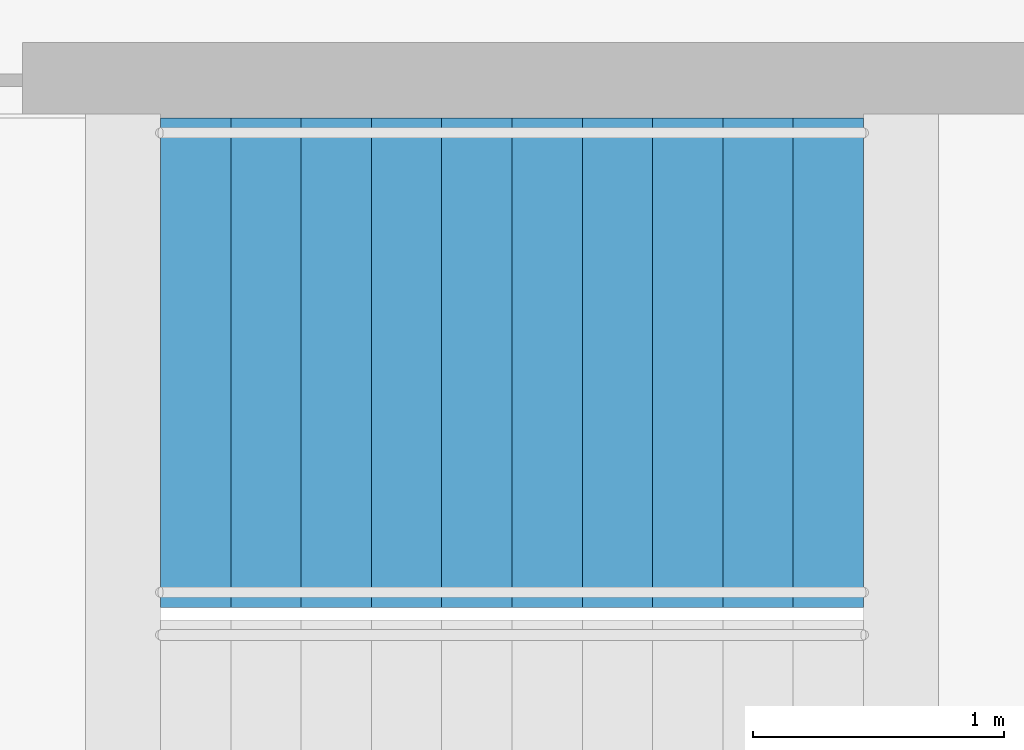
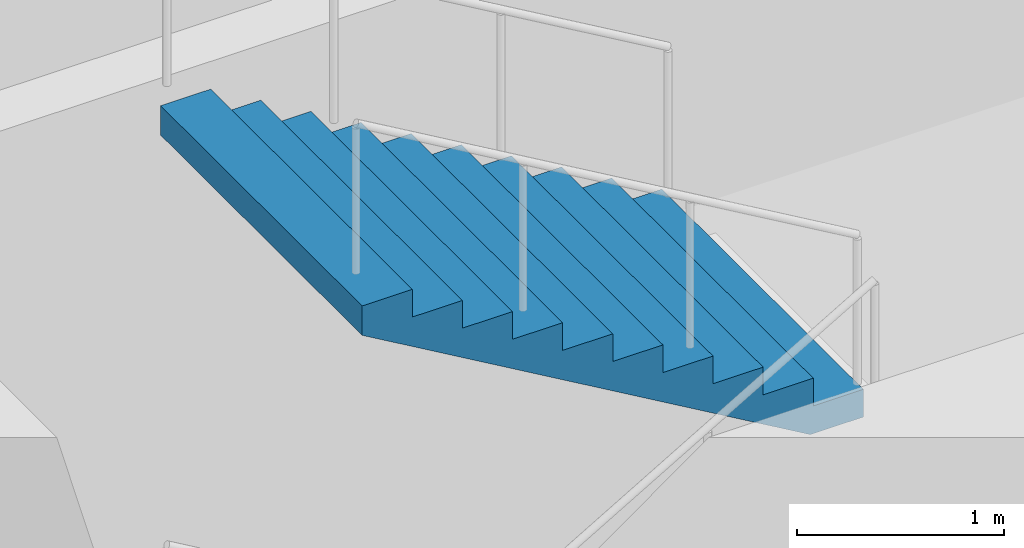
# One storey, part 19 of 24: 1 stair flight, 1 element without a shape of its own.
"""IFC4 building model written with IfcOpenShell, lengths in metres."""

from ifc_helpers import new_model, si_unit, direction, frame, origin, place, context, subcontext, project, spatial, triangles, material, type_object, element, aggregate, save


model = new_model("IFC4")

# Units and contexts
model_context = context("Model", 3, precision=1e-05, world=origin(), true_north=direction((0.0, 1.0)))
body_context = subcontext(model_context, "Body", "Model", "MODEL_VIEW")
ifc_project = project(units=[si_unit("LENGTHUNIT", "METRE"), si_unit("AREAUNIT", "SQUARE_METRE"), si_unit("VOLUMEUNIT", "CUBIC_METRE"), si_unit("PLANEANGLEUNIT", "RADIAN"), si_unit("MASSUNIT", "GRAM", prefix="KILO")], contexts=[model_context])

# Site, building, storey
site_placement = place(None, origin())
site = spatial("IfcSite", under=ifc_project, at=site_placement, CompositionType="ELEMENT")
building_placement = place(site_placement, origin())
building = spatial("IfcBuilding", under=site, at=building_placement, Name="Orbita Commons", CompositionType="ELEMENT")
storey_placement = place(building_placement, frame((0.0, 0.0, 68.949951171875)))
storey = spatial("IfcBuildingStorey", under=building, at=storey_placement, Name="L17", CompositionType="ELEMENT", Elevation=68.949951171875)

# Stair, stair flight
ifc_material_1 = material(Name="Precast concrete C40/50", Category="concrete")
stair_type = type_object("IfcStairType", Name="Exit stair S1 4 flights 11 risers 164", PredefinedType="HALF_TURN_STAIR", material=ifc_material_1)
stair_placement = place(storey_placement, origin())
stair = element("IfcStair", 1, at=stair_placement, inside=storey, type_object=stair_type, Name="Exit stair S1 L17", PredefinedType="HALF_TURN_STAIR")
ifc_material_2 = material(Name="Precast concrete C40/50", Category="concrete")
stair_flight_type = type_object("IfcStairFlightType", Name="Stair flight 11 risers 164 x 280", PredefinedType="STRAIGHT", material=ifc_material_2)
stair_flight_placement = place(storey_placement, frame((23.25, 29.27490234375, 5.400146484375), z_axis=(0.0, 0.0, 1.0), x_axis=(-1.0, 0.0, 0.0)))
stair_flight = element("IfcStairFlight", 2, at=stair_flight_placement, type_object=stair_flight_type, Name="S1 flight 4", NumberOfRisers=11, NumberOfTreads=10, PredefinedType="STRAIGHT", RiserHeight=0.163636364, TreadLength=0.28, context=body_context, shape_type="Tessellation", body=[
    triangles([(0.0, 0.974976, 0.0), (0.0, 0.974976, 0.020455), (0.0, 0.81248, 0.020455), (0.0, 0.81248, 0.0), (0.0, 0.649984, 0.020455), (0.0, 0.649984, 0.0), (0.0, 0.487488, 0.020455), (0.0, 0.487488, 0.0), (0.0, 0.324992, 0.020455), (0.0, 0.324992, 0.0), (0.0, 0.162496, 0.020455), (0.0, 0.162496, 0.0), (0.0, 0.0, 0.020455), (0.0, 0.0, 0.0), (0.0, -0.162496, 0.020455), (0.0, -0.162496, 0.0), (0.0, -0.324992, 0.020455), (0.0, -0.324992, 0.0), (0.0, -0.487488, 0.020455), (0.0, -0.487488, 0.0), (0.0, -0.649984, 0.020455), (0.0, -0.649984, 0.0), (0.0, -0.81248, 0.020455), (0.0, -0.81248, 0.0), (0.0, -0.974976, 0.020455), (0.0, -0.974976, 0.0), (0.0, 0.974976, 0.040909), (0.0, 0.81248, 0.040909), (0.0, 0.649984, 0.040909), (0.0, 0.487488, 0.040909), (0.0, 0.324992, 0.040909), (0.0, 0.162496, 0.040909), (0.0, 0.0, 0.040909), (0.0, -0.162496, 0.040909), (0.0, -0.324992, 0.040909), (0.0, -0.487488, 0.040909), (0.0, -0.649984, 0.040909), (0.0, -0.81248, 0.040909), (0.0, -0.974976, 0.040909), (0.0, 0.974976, 0.061364), (0.0, 0.81248, 0.061364), (0.0, 0.649984, 0.061364), (0.0, 0.487488, 0.061364), (0.0, 0.324992, 0.061364), (0.0, 0.162496, 0.061364), (0.0, 0.0, 0.061364), (0.0, -0.162496, 0.061364), (0.0, -0.324992, 0.061364), (0.0, -0.487488, 0.061364), (0.0, -0.649984, 0.061364), (0.0, -0.81248, 0.061364), (0.0, -0.974976, 0.061364), (0.0, 0.974976, 0.081818), (0.0, 0.81248, 0.081818), (0.0, 0.649984, 0.081818), (0.0, 0.487488, 0.081818), (0.0, 0.324992, 0.081818), (0.0, 0.162496, 0.081818), (0.0, 0.0, 0.081818), (0.0, -0.162496, 0.081818), (0.0, -0.324992, 0.081818), (0.0, -0.487488, 0.081818), (0.0, -0.649984, 0.081818), (0.0, -0.81248, 0.081818), (0.0, -0.974976, 0.081818), (0.0, 0.974976, 0.102273), (0.0, 0.81248, 0.102273), (0.0, 0.649984, 0.102273), (0.0, 0.487488, 0.102273), (0.0, 0.324992, 0.102273), (0.0, 0.162496, 0.102273), (0.0, 0.0, 0.102273), (0.0, -0.162496, 0.102273), (0.0, -0.324992, 0.102273), (0.0, -0.487488, 0.102273), (0.0, -0.649984, 0.102273), (0.0, -0.81248, 0.102273), (0.0, -0.974976, 0.102273), (0.0, 0.974976, 0.122727), (0.0, 0.81248, 0.122727), (0.0, 0.649984, 0.122727), (0.0, 0.487488, 0.122727), (0.0, 0.324992, 0.122727), (0.0, 0.162496, 0.122727), (0.0, 0.0, 0.122727), (0.0, -0.162496, 0.122727), (0.0, -0.324992, 0.122727), (0.0, -0.487488, 0.122727), (0.0, -0.649984, 0.122727), (0.0, -0.81248, 0.122727), (0.0, -0.974976, 0.122727), (0.0, 0.974976, 0.143182), (0.0, 0.81248, 0.143182), (0.0, 0.649984, 0.143182), (0.0, 0.487488, 0.143182), (0.0, 0.324992, 0.143182), (0.0, 0.162496, 0.143182), (0.0, 0.0, 0.143182), (0.0, -0.162496, 0.143182), (0.0, -0.324992, 0.143182), (0.0, -0.487488, 0.143182), (0.0, -0.649984, 0.143182), (0.0, -0.81248, 0.143182), (0.0, -0.974976, 0.143182), (0.0, 0.974976, 0.163636), (0.0, 0.81248, 0.163636), (0.0, 0.649984, 0.163636), (0.0, 0.487488, 0.163636), (0.0, 0.324992, 0.163636), (0.0, 0.162496, 0.163636), (0.0, 0.0, 0.163636), (0.0, -0.162496, 0.163636), (0.0, -0.324992, 0.163636), (0.0, -0.487488, 0.163636), (0.0, -0.649984, 0.163636), (0.0, -0.81248, 0.163636), (0.0, -0.974976, 0.163636), (0.28, 0.974976, 0.163636), (0.28, 0.81248, 0.163636), (0.28, 0.649984, 0.163636), (0.28, 0.487488, 0.163636), (0.28, 0.324992, 0.163636), (0.28, 0.162496, 0.163636), (0.28, 0.0, 0.163636), (0.28, -0.162496, 0.163636), (0.28, -0.324992, 0.163636), (0.28, -0.487488, 0.163636), (0.28, -0.649984, 0.163636), (0.28, -0.81248, 0.163636), (0.28, -0.974976, 0.163636), (0.28, 0.974976, 0.327273), (0.28, 0.81248, 0.327273), (0.28, 0.649984, 0.327273), (0.28, 0.487488, 0.327273), (0.28, 0.324992, 0.327273), (0.28, 0.162496, 0.327273), (0.28, 0.0, 0.327273), (0.28, -0.162496, 0.327273), (0.28, -0.324992, 0.327273), (0.28, -0.487488, 0.327273), (0.28, -0.649984, 0.327273), (0.28, -0.81248, 0.327273), (0.28, -0.974976, 0.327273), (0.56, 0.974976, 0.327273), (0.56, 0.81248, 0.327273), (0.56, 0.649984, 0.327273), (0.56, 0.487488, 0.327273), (0.56, 0.324992, 0.327273), (0.56, 0.162496, 0.327273), (0.56, 0.0, 0.327273), (0.56, -0.162496, 0.327273), (0.56, -0.324992, 0.327273), (0.56, -0.487488, 0.327273), (0.56, -0.649984, 0.327273), (0.56, -0.81248, 0.327273), (0.56, -0.974976, 0.327273), (0.56, 0.974976, 0.490909), (0.56, 0.81248, 0.490909), (0.56, 0.649984, 0.490909), (0.56, 0.487488, 0.490909), (0.56, 0.324992, 0.490909), (0.56, 0.162496, 0.490909), (0.56, 0.0, 0.490909), (0.56, -0.162496, 0.490909), (0.56, -0.324992, 0.490909), (0.56, -0.487488, 0.490909), (0.56, -0.649984, 0.490909), (0.56, -0.81248, 0.490909), (0.56, -0.974976, 0.490909), (0.84, 0.974976, 0.490909), (0.84, 0.81248, 0.490909), (0.84, 0.649984, 0.490909), (0.84, 0.487488, 0.490909), (0.84, 0.324992, 0.490909), (0.84, 0.162496, 0.490909), (0.84, 0.0, 0.490909), (0.84, -0.162496, 0.490909), (0.84, -0.324992, 0.490909), (0.84, -0.487488, 0.490909), (0.84, -0.649984, 0.490909), (0.84, -0.81248, 0.490909), (0.84, -0.974976, 0.490909), (0.84, 0.974976, 0.654545), (0.84, 0.81248, 0.654545), (0.84, 0.649984, 0.654545), (0.84, 0.487488, 0.654545), (0.84, 0.324992, 0.654545), (0.84, 0.162496, 0.654545), (0.84, 0.0, 0.654545), (0.84, -0.162496, 0.654545), (0.84, -0.324992, 0.654545), (0.84, -0.487488, 0.654545), (0.84, -0.649984, 0.654545), (0.84, -0.81248, 0.654545), (0.84, -0.974976, 0.654545), (1.12, 0.974976, 0.654545), (1.12, 0.81248, 0.654545), (1.12, 0.649984, 0.654545), (1.12, 0.487488, 0.654545), (1.12, 0.324992, 0.654545), (1.12, 0.162496, 0.654545), (1.12, 0.0, 0.654545), (1.12, -0.162496, 0.654545), (1.12, -0.324992, 0.654545), (1.12, -0.487488, 0.654545), (1.12, -0.649984, 0.654545), (1.12, -0.81248, 0.654545), (1.12, -0.974976, 0.654545), (1.12, 0.974976, 0.818182), (1.12, 0.81248, 0.818182), (1.12, 0.649984, 0.818182), (1.12, 0.487488, 0.818182), (1.12, 0.324992, 0.818182), (1.12, 0.162496, 0.818182), (1.12, 0.0, 0.818182), (1.12, -0.162496, 0.818182), (1.12, -0.324992, 0.818182), (1.12, -0.487488, 0.818182), (1.12, -0.649984, 0.818182), (1.12, -0.81248, 0.818182), (1.12, -0.974976, 0.818182), (1.4, 0.974976, 0.818182), (1.4, 0.81248, 0.818182), (1.4, 0.649984, 0.818182), (1.4, 0.487488, 0.818182), (1.4, 0.324992, 0.818182), (1.4, 0.162496, 0.818182), (1.4, 0.0, 0.818182), (1.4, -0.162496, 0.818182), (1.4, -0.324992, 0.818182), (1.4, -0.487488, 0.818182), (1.4, -0.649984, 0.818182), (1.4, -0.81248, 0.818182), (1.4, -0.974976, 0.818182), (1.4, 0.974976, 0.981818), (1.4, 0.81248, 0.981818), (1.4, 0.649984, 0.981818), (1.4, 0.487488, 0.981818), (1.4, 0.324992, 0.981818), (1.4, 0.162496, 0.981818), (1.4, 0.0, 0.981818), (1.4, -0.162496, 0.981818), (1.4, -0.324992, 0.981818), (1.4, -0.487488, 0.981818), (1.4, -0.649984, 0.981818), (1.4, -0.81248, 0.981818), (1.4, -0.974976, 0.981818), (1.68, 0.974976, 0.981818), (1.68, 0.81248, 0.981818), (1.68, 0.649984, 0.981818), (1.68, 0.487488, 0.981818), (1.68, 0.324992, 0.981818), (1.68, 0.162496, 0.981818), (1.68, 0.0, 0.981818), (1.68, -0.162496, 0.981818), (1.68, -0.324992, 0.981818), (1.68, -0.487488, 0.981818), (1.68, -0.649984, 0.981818), (1.68, -0.81248, 0.981818), (1.68, -0.974976, 0.981818), (1.68, 0.974976, 1.145455), (1.68, 0.81248, 1.145455), (1.68, 0.649984, 1.145455), (1.68, 0.487488, 1.145455), (1.68, 0.324992, 1.145455), (1.68, 0.162496, 1.145455), (1.68, 0.0, 1.145455), (1.68, -0.162496, 1.145455), (1.68, -0.324992, 1.145455), (1.68, -0.487488, 1.145455), (1.68, -0.649984, 1.145455), (1.68, -0.81248, 1.145455), (1.68, -0.974976, 1.145455), (1.96, 0.974976, 1.145455), (1.96, 0.81248, 1.145455), (1.96, 0.649984, 1.145455), (1.96, 0.487488, 1.145455), (1.96, 0.324992, 1.145455), (1.96, 0.162496, 1.145455), (1.96, 0.0, 1.145455), (1.96, -0.162496, 1.145455), (1.96, -0.324992, 1.145455), (1.96, -0.487488, 1.145455), (1.96, -0.649984, 1.145455), (1.96, -0.81248, 1.145455), (1.96, -0.974976, 1.145455), (1.96, 0.974976, 1.309091), (1.96, 0.81248, 1.309091), (1.96, 0.649984, 1.309091), (1.96, 0.487488, 1.309091), (1.96, 0.324992, 1.309091), (1.96, 0.162496, 1.309091), (1.96, 0.0, 1.309091), (1.96, -0.162496, 1.309091), (1.96, -0.324992, 1.309091), (1.96, -0.487488, 1.309091), (1.96, -0.649984, 1.309091), (1.96, -0.81248, 1.309091), (1.96, -0.974976, 1.309091), (2.24, 0.974976, 1.309091), (2.24, 0.81248, 1.309091), (2.24, 0.649984, 1.309091), (2.24, 0.487488, 1.309091), (2.24, 0.324992, 1.309091), (2.24, 0.162496, 1.309091), (2.24, 0.0, 1.309091), (2.24, -0.162496, 1.309091), (2.24, -0.324992, 1.309091), (2.24, -0.487488, 1.309091), (2.24, -0.649984, 1.309091), (2.24, -0.81248, 1.309091), (2.24, -0.974976, 1.309091), (2.24, 0.974976, 1.472727), (2.24, 0.81248, 1.472727), (2.24, 0.649984, 1.472727), (2.24, 0.487488, 1.472727), (2.24, 0.324992, 1.472727), (2.24, 0.162496, 1.472727), (2.24, 0.0, 1.472727), (2.24, -0.162496, 1.472727), (2.24, -0.324992, 1.472727), (2.24, -0.487488, 1.472727), (2.24, -0.649984, 1.472727), (2.24, -0.81248, 1.472727), (2.24, -0.974976, 1.472727), (2.52, 0.974976, 1.472727), (2.52, 0.81248, 1.472727), (2.52, 0.649984, 1.472727), (2.52, 0.487488, 1.472727), (2.52, 0.324992, 1.472727), (2.52, 0.162496, 1.472727), (2.52, 0.0, 1.472727), (2.52, -0.162496, 1.472727), (2.52, -0.324992, 1.472727), (2.52, -0.487488, 1.472727), (2.52, -0.649984, 1.472727), (2.52, -0.81248, 1.472727), (2.52, -0.974976, 1.472727), (2.52, 0.974976, 1.636364), (2.52, 0.81248, 1.636364), (2.52, 0.649984, 1.636364), (2.52, 0.487488, 1.636364), (2.52, 0.324992, 1.636364), (2.52, 0.162496, 1.636364), (2.52, 0.0, 1.636364), (2.52, -0.162496, 1.636364), (2.52, -0.324992, 1.636364), (2.52, -0.487488, 1.636364), (2.52, -0.649984, 1.636364), (2.52, -0.81248, 1.636364), (2.52, -0.974976, 1.636364), (2.8, 0.974976, 1.636364), (2.8, 0.81248, 1.636364), (2.8, 0.649984, 1.636364), (2.8, 0.487488, 1.636364), (2.8, 0.324992, 1.636364), (2.8, 0.162496, 1.636364), (2.8, 0.0, 1.636364), (2.8, -0.162496, 1.636364), (2.8, -0.324992, 1.636364), (2.8, -0.487488, 1.636364), (2.8, -0.649984, 1.636364), (2.8, -0.81248, 1.636364), (2.8, -0.974976, 1.636364), (2.8, 0.974976, 1.614661), (2.8, 0.81248, 1.614661), (2.8, 0.649984, 1.614661), (2.8, 0.487488, 1.614661), (2.8, 0.324992, 1.614661), (2.8, 0.162496, 1.614661), (2.8, 0.0, 1.614661), (2.8, -0.162496, 1.614661), (2.8, -0.324992, 1.614661), (2.8, -0.487488, 1.614661), (2.8, -0.649984, 1.614661), (2.8, -0.81248, 1.614661), (2.8, -0.974976, 1.614661), (2.8, 0.974976, 1.592958), (2.8, 0.81248, 1.592958), (2.8, 0.649984, 1.592958), (2.8, 0.487488, 1.592958), (2.8, 0.324992, 1.592958), (2.8, 0.162496, 1.592958), (2.8, 0.0, 1.592958), (2.8, -0.162496, 1.592958), (2.8, -0.324992, 1.592958), (2.8, -0.487488, 1.592958), (2.8, -0.649984, 1.592958), (2.8, -0.81248, 1.592958), (2.8, -0.974976, 1.592958), (2.8, 0.974976, 1.571255), (2.8, 0.81248, 1.571255), (2.8, 0.649984, 1.571255), (2.8, 0.487488, 1.571255), (2.8, 0.324992, 1.571255), (2.8, 0.162496, 1.571255), (2.8, 0.0, 1.571255), (2.8, -0.162496, 1.571255), (2.8, -0.324992, 1.571255), (2.8, -0.487488, 1.571255), (2.8, -0.649984, 1.571255), (2.8, -0.81248, 1.571255), (2.8, -0.974976, 1.571255), (2.8, 0.974976, 1.549551), (2.8, 0.81248, 1.549551), (2.8, 0.649984, 1.549551), (2.8, 0.487488, 1.549551), (2.8, 0.324992, 1.549551), (2.8, 0.162496, 1.549551), (2.8, 0.0, 1.549551), (2.8, -0.162496, 1.549551), (2.8, -0.324992, 1.549551), (2.8, -0.487488, 1.549551), (2.8, -0.649984, 1.549551), (2.8, -0.81248, 1.549551), (2.8, -0.974976, 1.549551), (2.8, 0.974976, 1.527848), (2.8, 0.81248, 1.527848), (2.8, 0.649984, 1.527848), (2.8, 0.487488, 1.527848), (2.8, 0.324992, 1.527848), (2.8, 0.162496, 1.527848), (2.8, 0.0, 1.527848), (2.8, -0.162496, 1.527848), (2.8, -0.324992, 1.527848), (2.8, -0.487488, 1.527848), (2.8, -0.649984, 1.527848), (2.8, -0.81248, 1.527848), (2.8, -0.974976, 1.527848), (2.8, 0.974976, 1.506145), (2.8, 0.81248, 1.506145), (2.8, 0.649984, 1.506145), (2.8, 0.487488, 1.506145), (2.8, 0.324992, 1.506145), (2.8, 0.162496, 1.506145), (2.8, 0.0, 1.506145), (2.8, -0.162496, 1.506145), (2.8, -0.324992, 1.506145), (2.8, -0.487488, 1.506145), (2.8, -0.649984, 1.506145), (2.8, -0.81248, 1.506145), (2.8, -0.974976, 1.506145), (2.8, 0.974976, 1.484442), (2.8, 0.81248, 1.484442), (2.8, 0.649984, 1.484442), (2.8, 0.487488, 1.484442), (2.8, 0.324992, 1.484442), (2.8, 0.162496, 1.484442), (2.8, 0.0, 1.484442), (2.8, -0.162496, 1.484442), (2.8, -0.324992, 1.484442), (2.8, -0.487488, 1.484442), (2.8, -0.649984, 1.484442), (2.8, -0.81248, 1.484442), (2.8, -0.974976, 1.484442), (2.8, 0.974976, 1.462739), (2.8, 0.81248, 1.462739), (2.8, 0.649984, 1.462739), (2.8, 0.487488, 1.462739), (2.8, 0.324992, 1.462739), (2.8, 0.162496, 1.462739), (2.8, 0.0, 1.462739), (2.8, -0.162496, 1.462739), (2.8, -0.324992, 1.462739), (2.8, -0.487488, 1.462739), (2.8, -0.649984, 1.462739), (2.8, -0.81248, 1.462739), (2.8, -0.974976, 1.462739), (0.29709, 0.974976, 0.0), (0.29709, 0.81248, 0.0), (0.29709, 0.649984, 0.0), (0.29709, 0.487488, 0.0), (0.29709, 0.324992, 0.0), (0.29709, 0.162496, 0.0), (0.29709, 0.0, 0.0), (0.29709, -0.162496, 0.0), (0.29709, -0.324992, 0.0), (0.29709, -0.487488, 0.0), (0.29709, -0.649984, 0.0), (0.29709, -0.81248, 0.0), (0.29709, -0.974976, 0.0)], [[3, 2, 1], [4, 3, 1], [5, 3, 4], [6, 5, 4], [7, 5, 6], [8, 7, 6], [9, 7, 8], [10, 9, 8], [11, 9, 10], [12, 11, 10], [13, 11, 12], [14, 13, 12], [15, 13, 14], [16, 15, 14], [17, 15, 16], [18, 17, 16], [19, 17, 18], [20, 19, 18], [21, 19, 20], [22, 21, 20], [23, 21, 22], [24, 23, 22], [25, 23, 24], [26, 25, 24], [28, 27, 2], [3, 28, 2], [29, 28, 3], [5, 29, 3], [30, 29, 5], [7, 30, 5], [31, 30, 7], [9, 31, 7], [32, 31, 9], [11, 32, 9], [33, 32, 11], [13, 33, 11], [34, 33, 13], [15, 34, 13], [35, 34, 15], [17, 35, 15], [36, 35, 17], [19, 36, 17], [37, 36, 19], [21, 37, 19], [38, 37, 21], [23, 38, 21], [39, 38, 23], [25, 39, 23], [41, 40, 27], [28, 41, 27], [42, 41, 28], [29, 42, 28], [43, 42, 29], [30, 43, 29], [44, 43, 30], [31, 44, 30], [45, 44, 31], [32, 45, 31], [46, 45, 32], [33, 46, 32], [47, 46, 33], [34, 47, 33], [48, 47, 34], [35, 48, 34], [49, 48, 35], [36, 49, 35], [50, 49, 36], [37, 50, 36], [51, 50, 37], [38, 51, 37], [52, 51, 38], [39, 52, 38], [54, 53, 40], [41, 54, 40], [55, 54, 41], [42, 55, 41], [56, 55, 42], [43, 56, 42], [57, 56, 43], [44, 57, 43], [58, 57, 44], [45, 58, 44], [59, 58, 45], [46, 59, 45], [60, 59, 46], [47, 60, 46], [61, 60, 47], [48, 61, 47], [62, 61, 48], [49, 62, 48], [63, 62, 49], [50, 63, 49], [64, 63, 50], [51, 64, 50], [65, 64, 51], [52, 65, 51], [67, 66, 53], [54, 67, 53], [68, 67, 54], [55, 68, 54], [69, 68, 55], [56, 69, 55], [70, 69, 56], [57, 70, 56], [71, 70, 57], [58, 71, 57], [72, 71, 58], [59, 72, 58], [73, 72, 59], [60, 73, 59], [74, 73, 60], [61, 74, 60], [75, 74, 61], [62, 75, 61], [76, 75, 62], [63, 76, 62], [77, 76, 63], [64, 77, 63], [78, 77, 64], [65, 78, 64], [80, 79, 66], [67, 80, 66], [81, 80, 67], [68, 81, 67], [82, 81, 68], [69, 82, 68], [83, 82, 69], [70, 83, 69], [84, 83, 70], [71, 84, 70], [85, 84, 71], [72, 85, 71], [86, 85, 72], [73, 86, 72], [87, 86, 73], [74, 87, 73], [88, 87, 74], [75, 88, 74], [89, 88, 75], [76, 89, 75], [90, 89, 76], [77, 90, 76], [91, 90, 77], [78, 91, 77], [93, 92, 79], [80, 93, 79], [94, 93, 80], [81, 94, 80], [95, 94, 81], [82, 95, 81], [96, 95, 82], [83, 96, 82], [97, 96, 83], [84, 97, 83], [98, 97, 84], [85, 98, 84], [99, 98, 85], [86, 99, 85], [100, 99, 86], [87, 100, 86], [101, 100, 87], [88, 101, 87], [102, 101, 88], [89, 102, 88], [103, 102, 89], [90, 103, 89], [104, 103, 90], [91, 104, 90], [106, 105, 92], [93, 106, 92], [107, 106, 93], [94, 107, 93], [108, 107, 94], [95, 108, 94], [109, 108, 95], [96, 109, 95], [110, 109, 96], [97, 110, 96], [111, 110, 97], [98, 111, 97], [112, 111, 98], [99, 112, 98], [113, 112, 99], [100, 113, 99], [114, 113, 100], [101, 114, 100], [115, 114, 101], [102, 115, 101], [116, 115, 102], [103, 116, 102], [117, 116, 103], [104, 117, 103], [119, 118, 105], [106, 119, 105], [120, 119, 106], [107, 120, 106], [121, 120, 107], [108, 121, 107], [122, 121, 108], [109, 122, 108], [123, 122, 109], [110, 123, 109], [124, 123, 110], [111, 124, 110], [125, 124, 111], [112, 125, 111], [126, 125, 112], [113, 126, 112], [127, 126, 113], [114, 127, 113], [128, 127, 114], [115, 128, 114], [129, 128, 115], [116, 129, 115], [130, 129, 116], [117, 130, 116], [132, 131, 118], [119, 132, 118], [133, 132, 119], [120, 133, 119], [134, 133, 120], [121, 134, 120], [135, 134, 121], [122, 135, 121], [136, 135, 122], [123, 136, 122], [137, 136, 123], [124, 137, 123], [138, 137, 124], [125, 138, 124], [139, 138, 125], [126, 139, 125], [140, 139, 126], [127, 140, 126], [141, 140, 127], [128, 141, 127], [142, 141, 128], [129, 142, 128], [143, 142, 129], [130, 143, 129], [145, 144, 131], [132, 145, 131], [146, 145, 132], [133, 146, 132], [147, 146, 133], [134, 147, 133], [148, 147, 134], [135, 148, 134], [149, 148, 135], [136, 149, 135], [150, 149, 136], [137, 150, 136], [151, 150, 137], [138, 151, 137], [152, 151, 138], [139, 152, 138], [153, 152, 139], [140, 153, 139], [154, 153, 140], [141, 154, 140], [155, 154, 141], [142, 155, 141], [156, 155, 142], [143, 156, 142], [158, 157, 144], [145, 158, 144], [159, 158, 145], [146, 159, 145], [160, 159, 146], [147, 160, 146], [161, 160, 147], [148, 161, 147], [162, 161, 148], [149, 162, 148], [163, 162, 149], [150, 163, 149], [164, 163, 150], [151, 164, 150], [165, 164, 151], [152, 165, 151], [166, 165, 152], [153, 166, 152], [167, 166, 153], [154, 167, 153], [168, 167, 154], [155, 168, 154], [169, 168, 155], [156, 169, 155], [171, 170, 157], [158, 171, 157], [172, 171, 158], [159, 172, 158], [173, 172, 159], [160, 173, 159], [174, 173, 160], [161, 174, 160], [175, 174, 161], [162, 175, 161], [176, 175, 162], [163, 176, 162], [177, 176, 163], [164, 177, 163], [178, 177, 164], [165, 178, 164], [179, 178, 165], [166, 179, 165], [180, 179, 166], [167, 180, 166], [181, 180, 167], [168, 181, 167], [182, 181, 168], [169, 182, 168], [184, 183, 170], [171, 184, 170], [185, 184, 171], [172, 185, 171], [186, 185, 172], [173, 186, 172], [187, 186, 173], [174, 187, 173], [188, 187, 174], [175, 188, 174], [189, 188, 175], [176, 189, 175], [190, 189, 176], [177, 190, 176], [191, 190, 177], [178, 191, 177], [192, 191, 178], [179, 192, 178], [193, 192, 179], [180, 193, 179], [194, 193, 180], [181, 194, 180], [195, 194, 181], [182, 195, 181], [197, 196, 183], [184, 197, 183], [198, 197, 184], [185, 198, 184], [199, 198, 185], [186, 199, 185], [200, 199, 186], [187, 200, 186], [201, 200, 187], [188, 201, 187], [202, 201, 188], [189, 202, 188], [203, 202, 189], [190, 203, 189], [204, 203, 190], [191, 204, 190], [205, 204, 191], [192, 205, 191], [206, 205, 192], [193, 206, 192], [207, 206, 193], [194, 207, 193], [208, 207, 194], [195, 208, 194], [210, 209, 196], [197, 210, 196], [211, 210, 197], [198, 211, 197], [212, 211, 198], [199, 212, 198], [213, 212, 199], [200, 213, 199], [214, 213, 200], [201, 214, 200], [215, 214, 201], [202, 215, 201], [216, 215, 202], [203, 216, 202], [217, 216, 203], [204, 217, 203], [218, 217, 204], [205, 218, 204], [219, 218, 205], [206, 219, 205], [220, 219, 206], [207, 220, 206], [221, 220, 207], [208, 221, 207], [223, 222, 209], [210, 223, 209], [224, 223, 210], [211, 224, 210], [225, 224, 211], [212, 225, 211], [226, 225, 212], [213, 226, 212], [227, 226, 213], [214, 227, 213], [228, 227, 214], [215, 228, 214], [229, 228, 215], [216, 229, 215], [230, 229, 216], [217, 230, 216], [231, 230, 217], [218, 231, 217], [232, 231, 218], [219, 232, 218], [233, 232, 219], [220, 233, 219], [234, 233, 220], [221, 234, 220], [236, 235, 222], [223, 236, 222], [237, 236, 223], [224, 237, 223], [238, 237, 224], [225, 238, 224], [239, 238, 225], [226, 239, 225], [240, 239, 226], [227, 240, 226], [241, 240, 227], [228, 241, 227], [242, 241, 228], [229, 242, 228], [243, 242, 229], [230, 243, 229], [244, 243, 230], [231, 244, 230], [245, 244, 231], [232, 245, 231], [246, 245, 232], [233, 246, 232], [247, 246, 233], [234, 247, 233], [249, 248, 235], [236, 249, 235], [250, 249, 236], [237, 250, 236], [251, 250, 237], [238, 251, 237], [252, 251, 238], [239, 252, 238], [253, 252, 239], [240, 253, 239], [254, 253, 240], [241, 254, 240], [255, 254, 241], [242, 255, 241], [256, 255, 242], [243, 256, 242], [257, 256, 243], [244, 257, 243], [258, 257, 244], [245, 258, 244], [259, 258, 245], [246, 259, 245], [260, 259, 246], [247, 260, 246], [262, 261, 248], [249, 262, 248], [263, 262, 249], [250, 263, 249], [264, 263, 250], [251, 264, 250], [265, 264, 251], [252, 265, 251], [266, 265, 252], [253, 266, 252], [267, 266, 253], [254, 267, 253], [268, 267, 254], [255, 268, 254], [269, 268, 255], [256, 269, 255], [270, 269, 256], [257, 270, 256], [271, 270, 257], [258, 271, 257], [272, 271, 258], [259, 272, 258], [273, 272, 259], [260, 273, 259], [275, 274, 261], [262, 275, 261], [276, 275, 262], [263, 276, 262], [277, 276, 263], [264, 277, 263], [278, 277, 264], [265, 278, 264], [279, 278, 265], [266, 279, 265], [280, 279, 266], [267, 280, 266], [281, 280, 267], [268, 281, 267], [282, 281, 268], [269, 282, 268], [283, 282, 269], [270, 283, 269], [284, 283, 270], [271, 284, 270], [285, 284, 271], [272, 285, 271], [286, 285, 272], [273, 286, 272], [288, 287, 274], [275, 288, 274], [289, 288, 275], [276, 289, 275], [290, 289, 276], [277, 290, 276], [291, 290, 277], [278, 291, 277], [292, 291, 278], [279, 292, 278], [293, 292, 279], [280, 293, 279], [294, 293, 280], [281, 294, 280], [295, 294, 281], [282, 295, 281], [296, 295, 282], [283, 296, 282], [297, 296, 283], [284, 297, 283], [298, 297, 284], [285, 298, 284], [299, 298, 285], [286, 299, 285], [301, 300, 287], [288, 301, 287], [302, 301, 288], [289, 302, 288], [303, 302, 289], [290, 303, 289], [304, 303, 290], [291, 304, 290], [305, 304, 291], [292, 305, 291], [306, 305, 292], [293, 306, 292], [307, 306, 293], [294, 307, 293], [308, 307, 294], [295, 308, 294], [309, 308, 295], [296, 309, 295], [310, 309, 296], [297, 310, 296], [311, 310, 297], [298, 311, 297], [312, 311, 298], [299, 312, 298], [314, 313, 300], [301, 314, 300], [315, 314, 301], [302, 315, 301], [316, 315, 302], [303, 316, 302], [317, 316, 303], [304, 317, 303], [318, 317, 304], [305, 318, 304], [319, 318, 305], [306, 319, 305], [320, 319, 306], [307, 320, 306], [321, 320, 307], [308, 321, 307], [322, 321, 308], [309, 322, 308], [323, 322, 309], [310, 323, 309], [324, 323, 310], [311, 324, 310], [325, 324, 311], [312, 325, 311], [327, 326, 313], [314, 327, 313], [328, 327, 314], [315, 328, 314], [329, 328, 315], [316, 329, 315], [330, 329, 316], [317, 330, 316], [331, 330, 317], [318, 331, 317], [332, 331, 318], [319, 332, 318], [333, 332, 319], [320, 333, 319], [334, 333, 320], [321, 334, 320], [335, 334, 321], [322, 335, 321], [336, 335, 322], [323, 336, 322], [337, 336, 323], [324, 337, 323], [338, 337, 324], [325, 338, 324], [340, 339, 326], [327, 340, 326], [341, 340, 327], [328, 341, 327], [342, 341, 328], [329, 342, 328], [343, 342, 329], [330, 343, 329], [344, 343, 330], [331, 344, 330], [345, 344, 331], [332, 345, 331], [346, 345, 332], [333, 346, 332], [347, 346, 333], [334, 347, 333], [348, 347, 334], [335, 348, 334], [349, 348, 335], [336, 349, 335], [350, 349, 336], [337, 350, 336], [351, 350, 337], [338, 351, 337], [353, 352, 339], [340, 353, 339], [354, 353, 340], [341, 354, 340], [355, 354, 341], [342, 355, 341], [356, 355, 342], [343, 356, 342], [357, 356, 343], [344, 357, 343], [358, 357, 344], [345, 358, 344], [359, 358, 345], [346, 359, 345], [360, 359, 346], [347, 360, 346], [361, 360, 347], [348, 361, 347], [362, 361, 348], [349, 362, 348], [363, 362, 349], [350, 363, 349], [364, 363, 350], [351, 364, 350], [366, 365, 352], [353, 366, 352], [367, 366, 353], [354, 367, 353], [368, 367, 354], [355, 368, 354], [369, 368, 355], [356, 369, 355], [370, 369, 356], [357, 370, 356], [371, 370, 357], [358, 371, 357], [372, 371, 358], [359, 372, 358], [373, 372, 359], [360, 373, 359], [374, 373, 360], [361, 374, 360], [375, 374, 361], [362, 375, 361], [376, 375, 362], [363, 376, 362], [377, 376, 363], [364, 377, 363], [379, 378, 365], [366, 379, 365], [380, 379, 366], [367, 380, 366], [381, 380, 367], [368, 381, 367], [382, 381, 368], [369, 382, 368], [383, 382, 369], [370, 383, 369], [384, 383, 370], [371, 384, 370], [385, 384, 371], [372, 385, 371], [386, 385, 372], [373, 386, 372], [387, 386, 373], [374, 387, 373], [388, 387, 374], [375, 388, 374], [389, 388, 375], [376, 389, 375], [390, 389, 376], [377, 390, 376], [392, 391, 378], [379, 392, 378], [393, 392, 379], [380, 393, 379], [394, 393, 380], [381, 394, 380], [395, 394, 381], [382, 395, 381], [396, 395, 382], [383, 396, 382], [397, 396, 383], [384, 397, 383], [398, 397, 384], [385, 398, 384], [399, 398, 385], [386, 399, 385], [400, 399, 386], [387, 400, 386], [401, 400, 387], [388, 401, 387], [402, 401, 388], [389, 402, 388], [403, 402, 389], [390, 403, 389], [405, 404, 391], [392, 405, 391], [406, 405, 392], [393, 406, 392], [407, 406, 393], [394, 407, 393], [408, 407, 394], [395, 408, 394], [409, 408, 395], [396, 409, 395], [410, 409, 396], [397, 410, 396], [411, 410, 397], [398, 411, 397], [412, 411, 398], [399, 412, 398], [413, 412, 399], [400, 413, 399], [414, 413, 400], [401, 414, 400], [415, 414, 401], [402, 415, 401], [416, 415, 402], [403, 416, 402], [418, 417, 404], [405, 418, 404], [419, 418, 405], [406, 419, 405], [420, 419, 406], [407, 420, 406], [421, 420, 407], [408, 421, 407], [422, 421, 408], [409, 422, 408], [423, 422, 409], [410, 423, 409], [424, 423, 410], [411, 424, 410], [425, 424, 411], [412, 425, 411], [426, 425, 412], [413, 426, 412], [427, 426, 413], [414, 427, 413], [428, 427, 414], [415, 428, 414], [429, 428, 415], [416, 429, 415], [431, 430, 417], [418, 431, 417], [432, 431, 418], [419, 432, 418], [433, 432, 419], [420, 433, 419], [434, 433, 420], [421, 434, 420], [435, 434, 421], [422, 435, 421], [436, 435, 422], [423, 436, 422], [437, 436, 423], [424, 437, 423], [438, 437, 424], [425, 438, 424], [439, 438, 425], [426, 439, 425], [440, 439, 426], [427, 440, 426], [441, 440, 427], [428, 441, 427], [442, 441, 428], [429, 442, 428], [444, 443, 430], [431, 444, 430], [445, 444, 431], [432, 445, 431], [446, 445, 432], [433, 446, 432], [447, 446, 433], [434, 447, 433], [448, 447, 434], [435, 448, 434], [449, 448, 435], [436, 449, 435], [450, 449, 436], [437, 450, 436], [451, 450, 437], [438, 451, 437], [452, 451, 438], [439, 452, 438], [453, 452, 439], [440, 453, 439], [454, 453, 440], [441, 454, 440], [455, 454, 441], [442, 455, 441], [457, 456, 443], [444, 457, 443], [458, 457, 444], [445, 458, 444], [459, 458, 445], [446, 459, 445], [460, 459, 446], [447, 460, 446], [461, 460, 447], [448, 461, 447], [462, 461, 448], [449, 462, 448], [463, 462, 449], [450, 463, 449], [464, 463, 450], [451, 464, 450], [465, 464, 451], [452, 465, 451], [466, 465, 452], [453, 466, 452], [467, 466, 453], [454, 467, 453], [468, 467, 454], [455, 468, 454], [470, 469, 456], [457, 470, 456], [471, 470, 457], [458, 471, 457], [472, 471, 458], [459, 472, 458], [473, 472, 459], [460, 473, 459], [474, 473, 460], [461, 474, 460], [475, 474, 461], [462, 475, 461], [476, 475, 462], [463, 476, 462], [477, 476, 463], [464, 477, 463], [478, 477, 464], [465, 478, 464], [479, 478, 465], [466, 479, 465], [480, 479, 466], [467, 480, 466], [481, 480, 467], [468, 481, 467], [4, 1, 469], [470, 4, 469], [6, 4, 470], [471, 6, 470], [8, 6, 471], [472, 8, 471], [10, 8, 472], [473, 10, 472], [12, 10, 473], [474, 12, 473], [14, 12, 474], [475, 14, 474], [16, 14, 475], [476, 16, 475], [18, 16, 476], [477, 18, 476], [20, 18, 477], [478, 20, 477], [22, 20, 478], [479, 22, 478], [24, 22, 479], [480, 24, 479], [26, 24, 480], [481, 26, 480], [456, 469, 1], [26, 481, 468], [443, 456, 1], [26, 468, 455], [430, 443, 1], [26, 455, 442], [417, 430, 1], [26, 442, 429], [404, 417, 1], [26, 429, 416], [391, 404, 1], [26, 416, 403], [378, 391, 1], [26, 403, 390], [365, 378, 1], [26, 390, 377], [339, 352, 365], [377, 364, 351], [326, 339, 365], [377, 351, 338], [300, 313, 326], [338, 325, 312], [300, 326, 365], [377, 338, 312], [274, 287, 300], [312, 299, 286], [274, 300, 365], [377, 312, 286], [248, 261, 274], [286, 273, 260], [248, 274, 365], [377, 286, 260], [222, 235, 248], [260, 247, 234], [222, 248, 365], [377, 260, 234], [196, 209, 222], [234, 221, 208], [196, 222, 365], [377, 234, 208], [170, 183, 196], [208, 195, 182], [170, 196, 365], [377, 208, 182], [144, 157, 170], [182, 169, 156], [144, 170, 365], [377, 182, 156], [118, 131, 144], [156, 143, 130], [118, 144, 365], [377, 156, 130], [118, 365, 1], [26, 377, 130], [92, 105, 118], [130, 117, 104], [79, 92, 118], [130, 104, 91], [66, 79, 118], [130, 91, 78], [53, 66, 118], [130, 78, 65], [40, 53, 118], [130, 65, 52], [27, 40, 118], [130, 52, 39], [2, 27, 118], [130, 39, 25], [1, 2, 118], [130, 25, 26]], closed=True),
])
aggregate(stair, [stair_flight])

save(model, "model.ifc")
